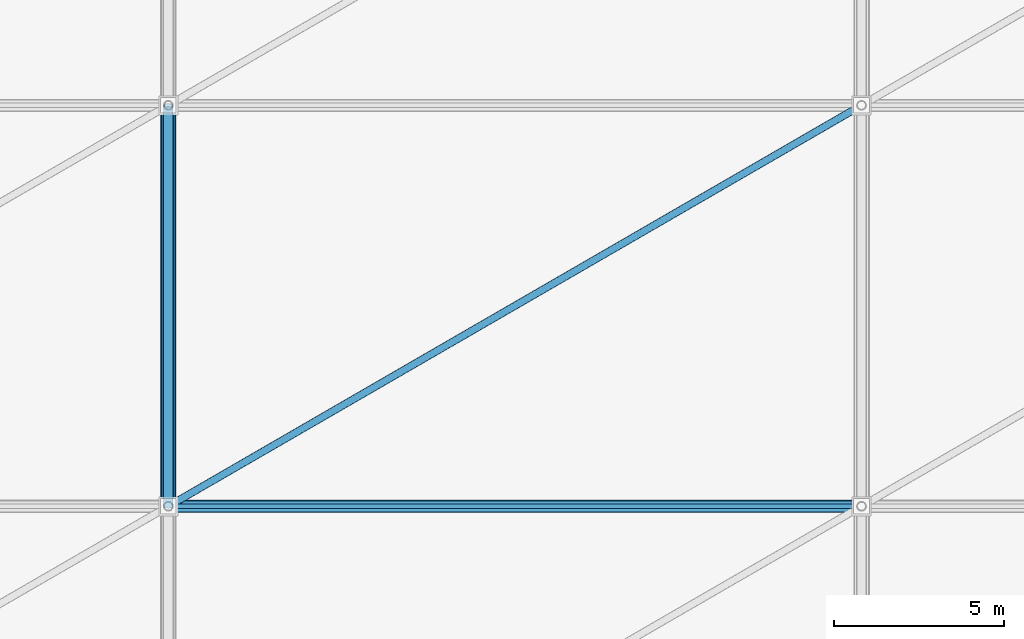
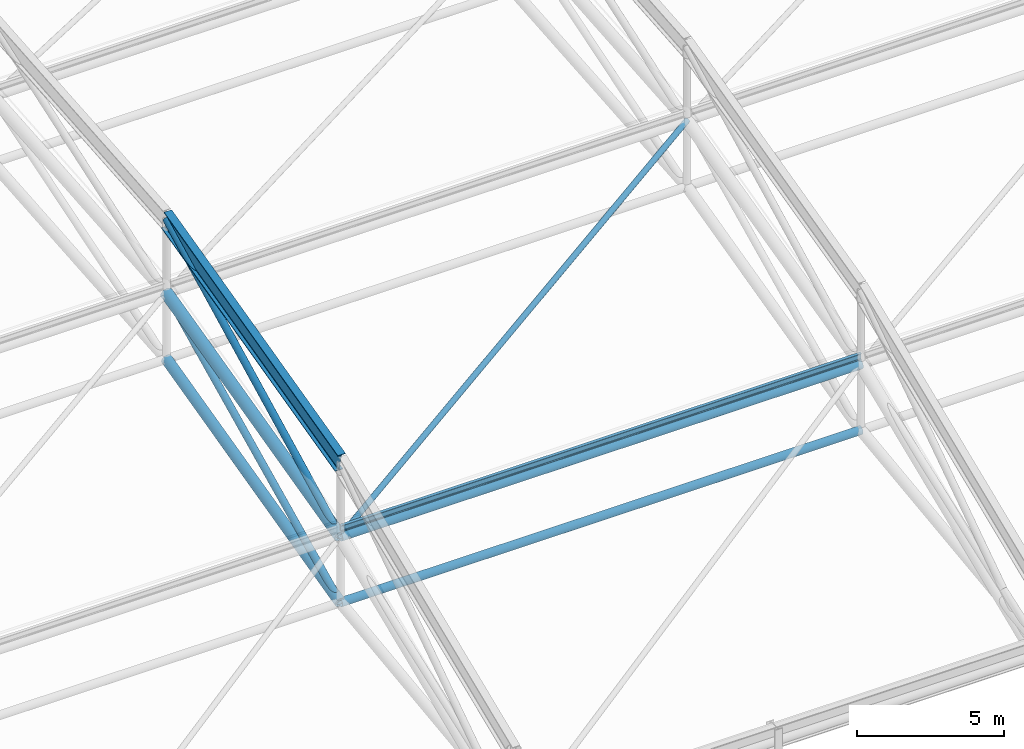
# One storey, part 16 of 135: 8 members, 1 beam.
"""IFC4 building model written with IfcOpenShell, lengths in metres."""

import ifcopenshell
import ifcopenshell.guid

model = None  # the IFC model being written
_history = None  # IfcOwnerHistory: only IFC2X3 demands one
_inside = {}  # id of a spatial element -> (the spatial element, [elements in it])
_under = {}  # id of a project, library or spatial element -> (it, [spatial elements below it])
_declared = {}  # id of a project -> (the project, [libraries it declares])
_typed = {}  # id of a type object -> (the type object, [elements of that type])
_made_of = {}  # id of a material, layer set ... -> (it, [elements and type objects made of it])


def new_model(schema):
    """Start an empty IFC model of exactly this schema.

    Asked for "IFC4X3", IfcOpenShell would pick the latest addendum, in which some entities
    have other attributes; the version numbers below select the first issue.
    IFC2X3 requires an IfcOwnerHistory on every rooted entity: one is made here for all.
    """
    global model, _history
    if schema == "IFC4X3":
        model = ifcopenshell.file(schema_version=(4, 3, 0, 0))
    else:
        model = ifcopenshell.file(schema=schema)
    _inside.clear()
    _under.clear()
    _declared.clear()
    _typed.clear()
    _made_of.clear()
    _history = None
    if model.schema == "IFC2X3":
        org = make("IfcOrganization", Name="unknown")
        user = make(
            "IfcPersonAndOrganization",
            ThePerson=make("IfcPerson", FamilyName="unknown"),
            TheOrganization=org,
        )
        app = make(
            "IfcApplication",
            ApplicationDeveloper=org,
            Version="unknown",
            ApplicationFullName="unknown",
            ApplicationIdentifier="unknown",
        )
        _history = make(
            "IfcOwnerHistory",
            OwningUser=user,
            OwningApplication=app,
            ChangeAction="ADDED",
            CreationDate=0,
        )
    return model


def make(cls, **values):
    """One entity of the class cls with the attributes given. An attribute that is None is left unset."""
    return model.create_entity(
        cls, **{name: value for name, value in values.items() if value is not None}
    )


def rooted(cls, **values):
    """An entity with a GlobalId (a new one), such as an element, a storey or a relation."""
    return make(cls, GlobalId=ifcopenshell.guid.new(), OwnerHistory=_history, **values)


def si_unit(unit_type, name, prefix=None):
    """IfcSIUnit, for example si_unit("LENGTHUNIT", "METRE", prefix="MILLI")."""
    return make("IfcSIUnit", UnitType=unit_type, Prefix=prefix, Name=name)


def assignment(units):
    """IfcUnitAssignment: the units of a project."""
    return None if units is None else make("IfcUnitAssignment", Units=units)


def point(xyz):
    """IfcCartesianPoint."""
    return None if xyz is None else make("IfcCartesianPoint", Coordinates=xyz)


def direction(xyz):
    """IfcDirection."""
    return None if xyz is None else make("IfcDirection", DirectionRatios=xyz)


def frame(location, z_axis=None, x_axis=None):
    """IfcAxis2Placement3D, a coordinate frame: its origin and axes. An axis left out is left unset."""
    return make(
        "IfcAxis2Placement3D",
        Location=point(location),
        Axis=direction(z_axis),
        RefDirection=direction(x_axis),
    )


def frame_2d(location, x_axis=None):
    """IfcAxis2Placement2D, a coordinate frame in the plane: its origin and x axis."""
    return make(
        "IfcAxis2Placement2D", Location=point(location), RefDirection=direction(x_axis)
    )


def origin():
    """The frame at (0, 0, 0) with its axes left unset."""
    return frame((0.0, 0.0, 0.0))


def origin_2d():
    """The frame at (0, 0) in the plane with its x axis left unset."""
    return frame_2d((0.0, 0.0))


def place(relative_to, where):
    """IfcLocalPlacement: puts the frame where relative to a parent placement (None: the world)."""
    return make(
        "IfcLocalPlacement", PlacementRelTo=relative_to, RelativePlacement=where
    )


def context(
    kind, dimensions, precision=None, world=None, true_north=None, identifier=None
):
    """IfcGeometricRepresentationContext, for example the 3D "Model" context."""
    return make(
        "IfcGeometricRepresentationContext",
        ContextIdentifier=identifier,
        ContextType=kind,
        CoordinateSpaceDimension=dimensions,
        Precision=precision,
        WorldCoordinateSystem=world,
        TrueNorth=true_north,
    )


def subcontext(parent, identifier, kind, view, scale=None):
    """IfcGeometricRepresentationSubContext, for example "Body" below "Model"."""
    return make(
        "IfcGeometricRepresentationSubContext",
        ContextIdentifier=identifier,
        ContextType=kind,
        ParentContext=parent,
        TargetScale=scale,
        TargetView=view,
    )


def project(units=None, contexts=None):
    """IfcProject with its units and contexts."""
    return rooted(
        "IfcProject",
        Name="project",
        RepresentationContexts=contexts,
        UnitsInContext=assignment(units),
    )


def spatial(cls, under=None, at=None, **own):
    """A site, building, storey or space (cls), placed at a placement, below another one or the project."""
    s = rooted(cls, ObjectPlacement=at, **own)
    if under is not None:
        _under.setdefault(under.id(), (under, []))[1].append(s)
    return s


def profile(cls, at=None, kind="AREA", **sizes):
    """A parametric profile (cls). Its sizes go by their IFC names, for example OverallWidth=200.0."""
    return make(cls, ProfileType=kind, Position=at, **sizes)


def hollow_circle(**sizes):
    """IfcCircleHollowProfileDef."""
    return profile("IfcCircleHollowProfileDef", **sizes)


def i_section(**sizes):
    """IfcIShapeProfileDef."""
    return profile("IfcIShapeProfileDef", **sizes)


def extrude(swept, where, along, depth):
    """IfcExtrudedAreaSolid: the profile swept, set in the frame where, extruded along a direction by depth."""
    return make(
        "IfcExtrudedAreaSolid",
        SweptArea=swept,
        Position=where,
        ExtrudedDirection=direction(along),
        Depth=depth,
    )


def shape(context_of_items, identifier, shape_type, items):
    """IfcShapeRepresentation: the items that make up one representation, for example the "Body"."""
    return make(
        "IfcShapeRepresentation",
        ContextOfItems=context_of_items,
        RepresentationIdentifier=identifier,
        RepresentationType=shape_type,
        Items=items,
    )


def material(Name=None, Category=None):
    """IfcMaterial."""
    return make("IfcMaterial", Name=Name, Category=Category)


def material_profile(
    of_material, cross_section, Name=None, Category=None, Priority=None
):
    """IfcMaterialProfile: a cross section and its material."""
    return make(
        "IfcMaterialProfile",
        Name=Name,
        Material=of_material,
        Profile=cross_section,
        Priority=Priority,
        Category=Category,
    )


def profile_set(profiles, Name=None, composite=None):
    """IfcMaterialProfileSet."""
    return make(
        "IfcMaterialProfileSet",
        Name=Name,
        MaterialProfiles=profiles,
        CompositeProfile=composite,
    )


def made_of(thing, what):
    """Note that an element or type object is made of a material, layer set ...; save() writes the relation."""
    if what is not None:
        _made_of.setdefault(what.id(), (what, []))[1].append(thing)
    return thing


def type_object(cls, material=None, **own):
    """A type object (cls), such as IfcWallType, which elements share."""
    return made_of(rooted(cls, **own), material)


def element(
    cls,
    number,
    at=None,
    inside=None,
    cuts=None,
    type_object=None,
    material=None,
    context=None,
    identifier="Body",
    shape_type=None,
    held_by="IfcProductDefinitionShape",
    body=None,
    shapes=None,
    **own,
):
    """One element of the class cls, such as IfcWall. Its Tag is "e" and its number.

    at: its placement. inside: the storey or other place that contains it. cuts: it is an
    opening in that element (IfcRelVoidsElement). A single representation is given by context,
    identifier, shape_type and body (its items); several are given by shapes. held_by: the class
    of the entity that holds the representations. save() writes the other relations.
    """
    e = rooted(cls, Tag="e%d" % number, ObjectPlacement=at, **own)
    if body is not None:
        shapes = [shape(context, identifier, shape_type, body)]
    if shapes is not None:
        e.Representation = make(held_by, Representations=shapes)
    if inside is not None:
        _inside.setdefault(inside.id(), (inside, []))[1].append(e)
    if cuts is not None:
        rooted(
            "IfcRelVoidsElement", RelatingBuildingElement=cuts, RelatedOpeningElement=e
        )
    if type_object is not None:
        _typed.setdefault(type_object.id(), (type_object, []))[1].append(e)
    return made_of(e, material)


def aggregate(whole, parts):
    """IfcRelAggregates: a whole, such as a stair, and the parts it consists of."""
    return rooted("IfcRelAggregates", RelatingObject=whole, RelatedObjects=parts)


def save(model, path):
    """Write the relations noted so far, then the file.

    IfcRelAggregates (storeys below a building ...), IfcRelContainedInSpatialStructure (elements
    in a storey), IfcRelDefinesByType, IfcRelAssociatesMaterial and IfcRelDeclares: one each for
    every whole, place, type object, material and project.
    """
    for whole, parts in _under.values():
        aggregate(whole, parts)
    for where, things in _inside.values():
        rooted(
            "IfcRelContainedInSpatialStructure",
            RelatedElements=things,
            RelatingStructure=where,
        )
    for kind, things in _typed.values():
        rooted("IfcRelDefinesByType", RelatedObjects=things, RelatingType=kind)
    for what, things in _made_of.values():
        rooted("IfcRelAssociatesMaterial", RelatedObjects=things, RelatingMaterial=what)
    for by, libraries in _declared.values():
        rooted("IfcRelDeclares", RelatingContext=by, RelatedDefinitions=libraries)
    model.write(path)


model = new_model("IFC4")

# Units and contexts
model_context = context("Model", 3, precision=1e-05, world=origin(), true_north=direction((0.0, 1.0)))
body_context = subcontext(model_context, "Body", "Model", "MODEL_VIEW")
ifc_project = project(units=[si_unit("LENGTHUNIT", "METRE"), si_unit("AREAUNIT", "SQUARE_METRE"), si_unit("VOLUMEUNIT", "CUBIC_METRE"), si_unit("PLANEANGLEUNIT", "RADIAN"), si_unit("MASSUNIT", "GRAM", prefix="KILO")], contexts=[model_context])

# Site, building, storey
site_placement = place(None, origin())
site = spatial("IfcSite", under=ifc_project, at=site_placement, CompositionType="ELEMENT")
building_placement = place(site_placement, origin())
building = spatial("IfcBuilding", under=site, at=building_placement, Name="Brelvane Convention Centre", CompositionType="ELEMENT")
storey_placement = place(building_placement, frame((0.0, 0.0, 15.0)))
storey = spatial("IfcBuildingStorey", under=building, at=storey_placement, Name="L03", CompositionType="ELEMENT", Elevation=15.0)

# Beam
ifc_material_1 = material(Name="Steel E450 (450 MPa)", Category="steel")
ifc_material_profile_1 = material_profile(ifc_material_1, i_section(OverallWidth=0.300048828125, OverallDepth=0.800048828125, WebThickness=0.015380859375, FlangeThickness=0.030029296875, FilletRadius=0.027099609375, at=origin_2d()), Name="NPB 800x300")
ifc_profile_set_1 = profile_set([ifc_material_profile_1], Name="Steel E450 (450 MPa)")
beam_type = type_object("IfcBeamType", Name="Steel Beam B-ST2 (NPB 800x300)", PredefinedType="BEAM", material=ifc_profile_set_1)
beam_placement = place(storey_placement, frame((20.39990234375, 40.60009765625, 10.288818359375), z_axis=(0.0, 0.970462914592, 0.241250350054), x_axis=(-1.0, 0.0, 0.0)))
element("IfcBeam", 1, at=beam_placement, inside=storey, type_object=beam_type, Name="EXO_EXH Exoskeletal Arch Girder 2.2", PredefinedType="BEAM", context=body_context, shape_type="SweptSolid", body=[
    extrude(i_section(OverallWidth=0.300048828125, OverallDepth=0.800048828125, WebThickness=0.015380859375, FlangeThickness=0.030029296875, FilletRadius=0.027099609375, at=origin_2d()), origin(), (0.0, 0.0, 1.0), 12.158935546875),
])

# Members
ifc_material_2 = material(Name="Steel E350 (350 MPa)", Category="steel")
ifc_material_profile_2 = material_profile(ifc_material_2, hollow_circle(Radius=0.136474609375, WallThickness=0.012451171875, at=origin_2d()), Name="CHS 273.0x12.5")
ifc_profile_set_2 = profile_set([ifc_material_profile_2], Name="Steel E350 (350 MPa)")
member_type_1 = type_object("IfcMemberType", Name="Steel Brace SF-DG1 (CHS 273.0x12.5)", PredefinedType="BRACE", material=ifc_profile_set_2)
member_1_placement = place(storey_placement, frame((20.39990234375, 40.60009765625, 4.489013671875), z_axis=(0.0, 0.901249063661, 0.433301425397), x_axis=(-1.0, 0.0, 0.0)))
element("IfcMember", 2, at=member_1_placement, inside=storey, type_object=member_type_1, Name="SF_EXH Space-Frame Web Diagonal D2.2", PredefinedType="BRACE", context=body_context, shape_type="SweptSolid", body=[
    extrude(hollow_circle(Radius=0.136474609375, WallThickness=0.012451171875, at=origin_2d()), origin(), (0.0, 0.0, 1.0), 13.0927734375),
])
member_2_placement = place(storey_placement, frame((20.39990234375, 40.60009765625, 7.22900390625), z_axis=(0.0, 0.891590690557, 0.45284218058), x_axis=(-1.0, 0.0, 0.0)))
element("IfcMember", 3, at=member_2_placement, inside=storey, type_object=member_type_1, Name="EXO_EXH Exoskeletal Arch Web 2.2", PredefinedType="BRACE", context=body_context, shape_type="SweptSolid", body=[
    extrude(hollow_circle(Radius=0.136474609375, WallThickness=0.012451171875, at=origin_2d()), origin(), (0.0, 0.0, 1.0), 13.234619140625),
])
ifc_material_3 = material(Name="Steel E350 (350 MPa)", Category="steel")
ifc_material_profile_3 = material_profile(ifc_material_3, hollow_circle(Radius=0.109619140625, WallThickness=0.010009765625, at=origin_2d()), Name="CHS 219.1x10.0")
ifc_profile_set_3 = profile_set([ifc_material_profile_3], Name="Steel E350 (350 MPa)")
member_type_2 = type_object("IfcMemberType", Name="Steel Brace SF-DG2 (CHS 219.1x10.0)", PredefinedType="BRACE", material=ifc_profile_set_3)
member_3_placement = place(storey_placement, frame((20.39990234375, 40.60009765625, 7.22900390625), z_axis=(0.858997719832, 0.496859438181, 0.123505530297), x_axis=(-0.500692800372, 0.865625045649, 0.0)))
element("IfcMember", 4, at=member_3_placement, inside=storey, type_object=member_type_2, Name="SF_EXH Roof Diaphragm Brace PB2.2", PredefinedType="BRACE", context=body_context, shape_type="SweptSolid", body=[
    extrude(hollow_circle(Radius=0.109619140625, WallThickness=0.010009765625, at=origin_2d()), origin(), (0.0, 0.0, 1.0), 23.748779296875),
])
ifc_material_4 = material(Name="Steel E450 (450 MPa)", Category="steel")
ifc_material_profile_4 = material_profile(ifc_material_4, hollow_circle(Radius=0.203125, WallThickness=0.01611328125, at=origin_2d()), Name="CHS 406.4x16.0")
ifc_profile_set_4 = profile_set([ifc_material_profile_4], Name="Steel E450 (450 MPa)")
member_type_3 = type_object("IfcMemberType", Name="Steel Chord SF-BC1 (CHS 406.4x16.0)", PredefinedType="CHORD", material=ifc_profile_set_4)
member_4_placement = place(storey_placement, frame((20.39990234375, 40.60009765625, 4.489013671875), z_axis=(0.0, 0.97046761544, 0.241231439458), x_axis=(-1.0, 0.0, 0.0)))
element("IfcMember", 5, at=member_4_placement, inside=storey, type_object=member_type_3, Name="SF_EXH Space-Frame Bottom Chord B2.2", PredefinedType="CHORD", context=body_context, shape_type="SweptSolid", body=[
    extrude(hollow_circle(Radius=0.203125, WallThickness=0.01611328125, at=origin_2d()), origin(), (0.0, 0.0, 1.0), 12.158935546875),
])
ifc_material_5 = material(Name="Steel E350 (350 MPa)", Category="steel")
ifc_material_profile_5 = material_profile(ifc_material_5, hollow_circle(Radius=0.161865234375, WallThickness=0.012451171875, at=origin_2d()), Name="CHS 323.9x12.5")
ifc_profile_set_5 = profile_set([ifc_material_profile_5], Name="Steel E350 (350 MPa)")
member_type_4 = type_object("IfcMemberType", Name="Steel Chord SF-BC2 (CHS 323.9x12.5)", PredefinedType="CHORD", material=ifc_profile_set_5)
member_5_placement = place(storey_placement, frame((20.39990234375, 40.60009765625, 4.489013671875), z_axis=(1.0, 0.0, 0.0), x_axis=(0.0, 1.0, 0.0)))
element("IfcMember", 6, at=member_5_placement, inside=storey, type_object=member_type_4, Name="SF_EXH Longitudinal Bottom Chord LB2.2", PredefinedType="CHORD", context=body_context, shape_type="SweptSolid", body=[
    extrude(hollow_circle(Radius=0.161865234375, WallThickness=0.012451171875, at=origin_2d()), origin(), (0.0, 0.0, 1.0), 20.400146484375),
])
ifc_material_6 = material(Name="Steel E450 (450 MPa)", Category="steel")
ifc_material_profile_6 = material_profile(ifc_material_6, hollow_circle(Radius=0.228515625, WallThickness=0.02001953125, at=origin_2d()), Name="CHS 457.0x20.0")
ifc_profile_set_6 = profile_set([ifc_material_profile_6], Name="Steel E450 (450 MPa)")
member_type_5 = type_object("IfcMemberType", Name="Steel Chord SF-TC1 (CHS 457.0x20.0)", PredefinedType="CHORD", material=ifc_profile_set_6)
member_6_placement = place(storey_placement, frame((20.39990234375, 40.60009765625, 7.22900390625), z_axis=(0.0, 0.97046761544, 0.241231439458), x_axis=(-1.0, 0.0, 0.0)))
element("IfcMember", 7, at=member_6_placement, inside=storey, type_object=member_type_5, Name="SF_EXH Space-Frame Top Chord T2.2", PredefinedType="CHORD", context=body_context, shape_type="SweptSolid", body=[
    extrude(hollow_circle(Radius=0.228515625, WallThickness=0.02001953125, at=origin_2d()), origin(), (0.0, 0.0, 1.0), 12.158935546875),
])
ifc_material_7 = material(Name="Steel E450 (450 MPa)", Category="steel")
ifc_material_profile_7 = material_profile(ifc_material_7, hollow_circle(Radius=0.177734375, WallThickness=0.01611328125, at=origin_2d()), Name="CHS 355.6x16.0")
ifc_profile_set_7 = profile_set([ifc_material_profile_7], Name="Steel E450 (450 MPa)")
member_type_6 = type_object("IfcMemberType", Name="Steel Chord SF-TC2 (CHS 355.6x16.0)", PredefinedType="CHORD", material=ifc_profile_set_7)
member_7_placement = place(storey_placement, frame((20.39990234375, 40.60009765625, 7.22900390625), z_axis=(1.0, 0.0, 0.0), x_axis=(0.0, 1.0, 0.0)))
element("IfcMember", 8, at=member_7_placement, inside=storey, type_object=member_type_6, Name="SF_EXH Longitudinal Top Chord LT2.2", PredefinedType="CHORD", context=body_context, shape_type="SweptSolid", body=[
    extrude(hollow_circle(Radius=0.177734375, WallThickness=0.01611328125, at=origin_2d()), origin(), (0.0, 0.0, 1.0), 20.400146484375),
])
ifc_material_8 = material(Name="Steel E350 (350 MPa)", Category="steel")
ifc_material_profile_8 = material_profile(ifc_material_8, i_section(OverallWidth=0.125, OverallDepth=0.25, WebThickness=0.0068359375, FlangeThickness=0.012451171875, FilletRadius=0.012939453125, at=origin_2d()), Name="ISMB 250")
ifc_profile_set_8 = profile_set([ifc_material_profile_8], Name="Steel E350 (350 MPa)")
member_type_7 = type_object("IfcMemberType", Name="Steel Purlin PR-ST1 (ISMB 250)", PredefinedType="PURLIN", material=ifc_profile_set_8)
member_8_placement = place(storey_placement, frame((20.39990234375, 40.60009765625, 7.56396484375), z_axis=(1.0, 0.0, 0.0), x_axis=(0.0, 1.0, 0.0)))
element("IfcMember", 9, at=member_8_placement, inside=storey, type_object=member_type_7, Name="SF_EXH Roof Purlin P2.2", PredefinedType="PURLIN", context=body_context, shape_type="SweptSolid", body=[
    extrude(i_section(OverallWidth=0.125, OverallDepth=0.25, WebThickness=0.0068359375, FlangeThickness=0.012451171875, FilletRadius=0.012939453125, at=origin_2d()), origin(), (0.0, 0.0, 1.0), 20.400146484375),
])

save(model, "model.ifc")
